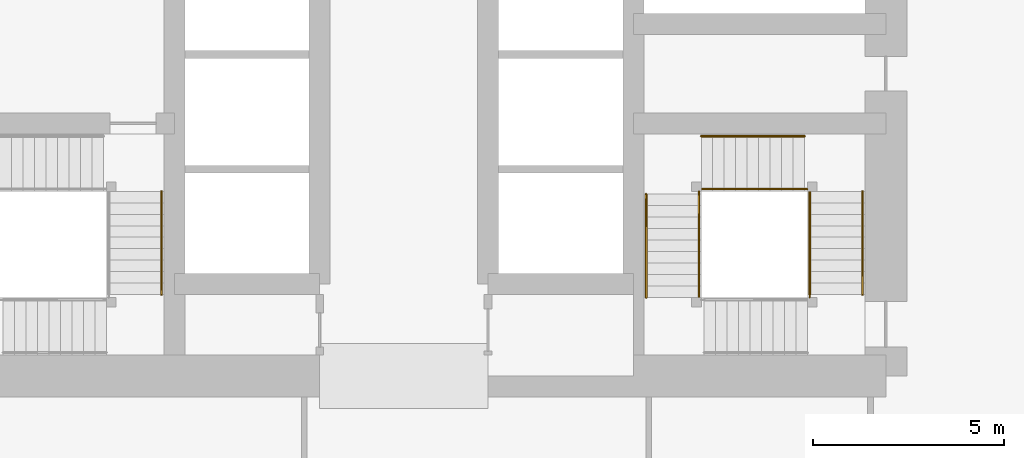
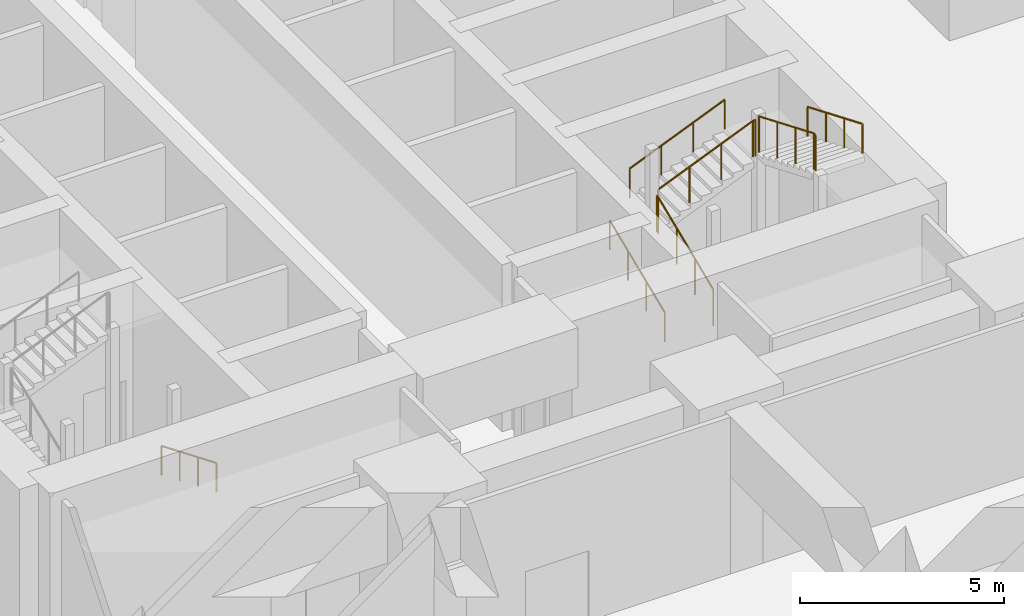
# One storey, part 43 of 48: 10 railings.
"""IFC4 building model written with IfcOpenShell, lengths in metres."""

from ifc_helpers import new_model, si_unit, direction, frame, origin, origin_2d, place, context, subcontext, project, spatial, circle, extrude, material, type_object, element, save


model = new_model("IFC4")

# Units and contexts
model_context = context("Model", 3, precision=1e-05, world=origin(), true_north=direction((0.0, 1.0)))
body_context = subcontext(model_context, "Body", "Model", "MODEL_VIEW")
ifc_project = project(units=[si_unit("LENGTHUNIT", "METRE"), si_unit("AREAUNIT", "SQUARE_METRE"), si_unit("VOLUMEUNIT", "CUBIC_METRE"), si_unit("PLANEANGLEUNIT", "RADIAN"), si_unit("MASSUNIT", "GRAM", prefix="KILO")], contexts=[model_context])

# Site, building, storey
site_placement = place(None, origin())
site = spatial("IfcSite", under=ifc_project, at=site_placement, CompositionType="ELEMENT")
building_placement = place(site_placement, origin())
building = spatial("IfcBuilding", under=site, at=building_placement, Name="Rekha Terrace Tower", CompositionType="ELEMENT")
storey_placement = place(building_placement, frame((0.0, 0.0, 15.39990234375)))
storey = spatial("IfcBuildingStorey", under=building, at=storey_placement, Name="L03", CompositionType="ELEMENT", Elevation=15.39990234375)

# Railings
ifc_material_1 = material(Name="Stainless steel balustrade", Category="steel")
railing_type_1 = type_object("IfcRailingType", Name="GR1 1100 stair guard", PredefinedType="GUARDRAIL", material=ifc_material_1)
railing_1_placement = place(storey_placement, frame((45.514892578125, 23.050048828125, 1.375)))
element("IfcRailing", 1, at=railing_1_placement, inside=storey, type_object=railing_type_1, Name="Guard ST3 L03 flight 2", PredefinedType="GUARDRAIL", context=body_context, shape_type="SweptSolid", body=[
    extrude(circle(Radius=0.02392578125, at=origin_2d()), frame((0.0, 0.0, 1.076171875), z_axis=(0.0, 0.923074453586, 0.384621311341), x_axis=(-1.0, 0.0, 0.0)), (0.0, 0.0, 1.0), 2.925048828125),
    extrude(circle(Radius=0.02099609375, at=origin_2d()), origin(), (0.0, 0.0, 1.0), 1.052001953125),
    extrude(circle(Radius=0.02099609375, at=origin_2d()), frame((0.0, 0.89990234375, 0.375)), (0.0, 0.0, 1.0), 1.052001953125),
    extrude(circle(Radius=0.02099609375, at=origin_2d()), frame((0.0, 1.800048828125, 0.75)), (0.0, 0.0, 1.0), 1.052001953125),
    extrude(circle(Radius=0.02099609375, at=origin_2d()), frame((0.0, 2.699951171875, 1.125)), (0.0, 0.0, 1.0), 1.052001953125),
])
railing_2_placement = place(storey_placement, frame((45.574951171875, 25.885009765625, 2.625)))
element("IfcRailing", 2, at=railing_2_placement, inside=storey, type_object=railing_type_1, Name="Guard ST3 L03 flight 3", PredefinedType="GUARDRAIL", context=body_context, shape_type="SweptSolid", body=[
    extrude(circle(Radius=0.02392578125, at=origin_2d()), frame((0.0, 0.0, 1.076171875), z_axis=(0.923074453586, 0.0, 0.384621311341), x_axis=(0.0, 1.0, 0.0)), (0.0, 0.0, 1.0), 2.925048828125),
    extrude(circle(Radius=0.02099609375, at=origin_2d()), origin(), (0.0, 0.0, 1.0), 1.052001953125),
    extrude(circle(Radius=0.02099609375, at=origin_2d()), frame((0.89990234375, 0.0, 0.375)), (0.0, 0.0, 1.0), 1.052001953125),
    extrude(circle(Radius=0.02099609375, at=origin_2d()), frame((1.800048828125, 0.0, 0.75)), (0.0, 0.0, 1.0), 1.052001953125),
    extrude(circle(Radius=0.02099609375, at=origin_2d()), frame((2.699951171875, 0.0, 1.125)), (0.0, 0.0, 1.0), 1.052001953125),
])
railing_3_placement = place(storey_placement, frame((48.409912109375, 25.824951171875, 3.875)))
element("IfcRailing", 3, at=railing_3_placement, inside=storey, type_object=railing_type_1, Name="Guard ST3 L03 flight 4", PredefinedType="GUARDRAIL", context=body_context, shape_type="SweptSolid", body=[
    extrude(circle(Radius=0.02392578125, at=origin_2d()), frame((0.0, 0.0, 1.076171875), z_axis=(0.0, -0.923074453586, 0.384621311341), x_axis=(1.0, 0.0, 0.0)), (0.0, 0.0, 1.0), 2.925048828125),
    extrude(circle(Radius=0.02099609375, at=origin_2d()), origin(), (0.0, 0.0, 1.0), 1.052001953125),
    extrude(circle(Radius=0.02099609375, at=origin_2d()), frame((0.0, -0.89990234375, 0.375)), (0.0, 0.0, 1.0), 1.052001953125),
    extrude(circle(Radius=0.02099609375, at=origin_2d()), frame((0.0, -1.800048828125, 0.75)), (0.0, 0.0, 1.0), 1.052001953125),
    extrude(circle(Radius=0.02099609375, at=origin_2d()), frame((0.0, -2.699951171875, 1.125)), (0.0, 0.0, 1.0), 1.052001953125),
])
railing_4_placement = place(storey_placement, frame((45.514892578125, 25.75, 2.5)))
element("IfcRailing", 4, at=railing_4_placement, inside=storey, type_object=railing_type_1, Name="Guard ST3 L03 landing 2", PredefinedType="GUARDRAIL", context=body_context, shape_type="SweptSolid", body=[
    extrude(circle(Radius=0.02392578125, at=origin_2d()), frame((0.0, 0.0, 1.076171875), z_axis=(0.0, 1.0, 0.0), x_axis=(-1.0, 0.0, 0.0)), (0.0, 0.0, 1.0), 0.074951171875),
    extrude(circle(Radius=0.02099609375, at=origin_2d()), origin(), (0.0, 0.0, 1.0), 1.052001953125),
    extrude(circle(Radius=0.02099609375, at=origin_2d()), frame((0.0, 0.074951171875, 0.0)), (0.0, 0.0, 1.0), 1.052001953125),
])
railing_5_placement = place(storey_placement, frame((48.35009765625, 25.885009765625, 3.75)))
element("IfcRailing", 5, at=railing_5_placement, inside=storey, type_object=railing_type_1, Name="Guard ST3 L03 landing 3", PredefinedType="GUARDRAIL", context=body_context, shape_type="SweptSolid", body=[
    extrude(circle(Radius=0.02392578125, at=origin_2d()), frame((0.0, 0.0, 1.076171875), z_axis=(-1.0, 0.0, 0.0), x_axis=(0.0, -1.0, 0.0)), (0.0, 0.0, 1.0), 0.0751953125),
    extrude(circle(Radius=0.02099609375, at=origin_2d()), origin(), (0.0, 0.0, 1.0), 1.052001953125),
    extrude(circle(Radius=0.02099609375, at=origin_2d()), frame((-0.0751953125, 0.0, 0.0)), (0.0, 0.0, 1.0), 1.052001953125),
])
railing_6_placement = place(storey_placement, frame((48.409912109375, 23.050048828125, 5.0)))
element("IfcRailing", 6, at=railing_6_placement, inside=storey, type_object=railing_type_1, Name="Guard ST3 L03 landing 4", PredefinedType="GUARDRAIL", context=body_context, shape_type="SweptSolid", body=[
    extrude(circle(Radius=0.02392578125, at=origin_2d()), frame((0.0, 0.0, 1.076171875), z_axis=(0.0, 1.0, 0.0), x_axis=(-1.0, 0.0, 0.0)), (0.0, 0.0, 1.0), 0.074951171875),
    extrude(circle(Radius=0.02099609375, at=origin_2d()), origin(), (0.0, 0.0, 1.0), 1.052001953125),
    extrude(circle(Radius=0.02099609375, at=origin_2d()), frame((0.0, 0.074951171875, 0.0)), (0.0, 0.0, 1.0), 1.052001953125),
])
ifc_material_2 = material(Name="Stainless steel tube", Category="steel")
railing_type_2 = type_object("IfcRailingType", Name="HR1 900 stair handrail", PredefinedType="HANDRAIL", material=ifc_material_2)
railing_7_placement = place(storey_placement, frame((31.465087890625, 25.824951171875, 0.125)))
element("IfcRailing", 7, at=railing_7_placement, inside=storey, type_object=railing_type_2, Name="Handrail ST1 L03 flight 1", PredefinedType="HANDRAIL", context=body_context, shape_type="SweptSolid", body=[
    extrude(circle(Radius=0.02392578125, at=origin_2d()), frame((0.0, 0.0, 0.8759765625), z_axis=(0.0, -0.923074453586, 0.384621311341), x_axis=(1.0, 0.0, 0.0)), (0.0, 0.0, 1.0), 2.925048828125),
    extrude(circle(Radius=0.02099609375, at=origin_2d()), origin(), (0.0, 0.0, 1.0), 0.851806640625),
    extrude(circle(Radius=0.02099609375, at=origin_2d()), frame((0.0, -0.89990234375, 0.375)), (0.0, 0.0, 1.0), 0.851806640625),
    extrude(circle(Radius=0.02099609375, at=origin_2d()), frame((0.0, -1.800048828125, 0.75)), (0.0, 0.0, 1.0), 0.851806640625),
    extrude(circle(Radius=0.02099609375, at=origin_2d()), frame((0.0, -2.699951171875, 1.125)), (0.0, 0.0, 1.0), 0.851806640625),
])
railing_8_placement = place(storey_placement, frame((44.135009765625, 23.050048828125, 1.375)))
element("IfcRailing", 8, at=railing_8_placement, inside=storey, type_object=railing_type_2, Name="Handrail ST3 L03 flight 2", PredefinedType="HANDRAIL", context=body_context, shape_type="SweptSolid", body=[
    extrude(circle(Radius=0.02392578125, at=origin_2d()), frame((0.0, 0.0, 0.8759765625), z_axis=(0.0, 0.923074453586, 0.384621311341), x_axis=(-1.0, 0.0, 0.0)), (0.0, 0.0, 1.0), 2.925048828125),
    extrude(circle(Radius=0.02099609375, at=origin_2d()), origin(), (0.0, 0.0, 1.0), 0.851806640625),
    extrude(circle(Radius=0.02099609375, at=origin_2d()), frame((0.0, 0.89990234375, 0.375)), (0.0, 0.0, 1.0), 0.851806640625),
    extrude(circle(Radius=0.02099609375, at=origin_2d()), frame((0.0, 1.800048828125, 0.75)), (0.0, 0.0, 1.0), 0.851806640625),
    extrude(circle(Radius=0.02099609375, at=origin_2d()), frame((0.0, 2.699951171875, 1.125)), (0.0, 0.0, 1.0), 0.851806640625),
])
railing_9_placement = place(storey_placement, frame((45.574951171875, 27.264892578125, 2.625)))
element("IfcRailing", 9, at=railing_9_placement, inside=storey, type_object=railing_type_2, Name="Handrail ST3 L03 flight 3", PredefinedType="HANDRAIL", context=body_context, shape_type="SweptSolid", body=[
    extrude(circle(Radius=0.02392578125, at=origin_2d()), frame((0.0, 0.0, 0.8759765625), z_axis=(0.923074453586, 0.0, 0.384621311341), x_axis=(0.0, 1.0, 0.0)), (0.0, 0.0, 1.0), 2.925048828125),
    extrude(circle(Radius=0.02099609375, at=origin_2d()), origin(), (0.0, 0.0, 1.0), 0.851806640625),
    extrude(circle(Radius=0.02099609375, at=origin_2d()), frame((0.89990234375, 0.0, 0.375)), (0.0, 0.0, 1.0), 0.851806640625),
    extrude(circle(Radius=0.02099609375, at=origin_2d()), frame((1.800048828125, 0.0, 0.75)), (0.0, 0.0, 1.0), 0.851806640625),
    extrude(circle(Radius=0.02099609375, at=origin_2d()), frame((2.699951171875, 0.0, 1.125)), (0.0, 0.0, 1.0), 0.851806640625),
])
railing_10_placement = place(storey_placement, frame((49.7900390625, 25.824951171875, 3.875)))
element("IfcRailing", 10, at=railing_10_placement, inside=storey, type_object=railing_type_2, Name="Handrail ST3 L03 flight 4", PredefinedType="HANDRAIL", context=body_context, shape_type="SweptSolid", body=[
    extrude(circle(Radius=0.02392578125, at=origin_2d()), frame((0.0, 0.0, 0.8759765625), z_axis=(0.0, -0.923074453586, 0.384621311341), x_axis=(1.0, 0.0, 0.0)), (0.0, 0.0, 1.0), 2.925048828125),
    extrude(circle(Radius=0.02099609375, at=origin_2d()), origin(), (0.0, 0.0, 1.0), 0.851806640625),
    extrude(circle(Radius=0.02099609375, at=origin_2d()), frame((0.0, -0.89990234375, 0.375)), (0.0, 0.0, 1.0), 0.851806640625),
    extrude(circle(Radius=0.02099609375, at=origin_2d()), frame((0.0, -1.800048828125, 0.75)), (0.0, 0.0, 1.0), 0.851806640625),
    extrude(circle(Radius=0.02099609375, at=origin_2d()), frame((0.0, -2.699951171875, 1.125)), (0.0, 0.0, 1.0), 0.851806640625),
])

save(model, "model.ifc")
